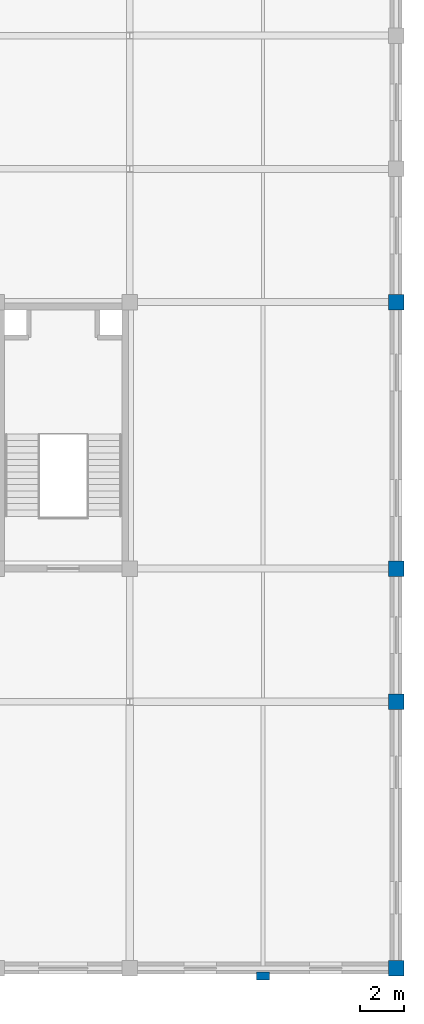
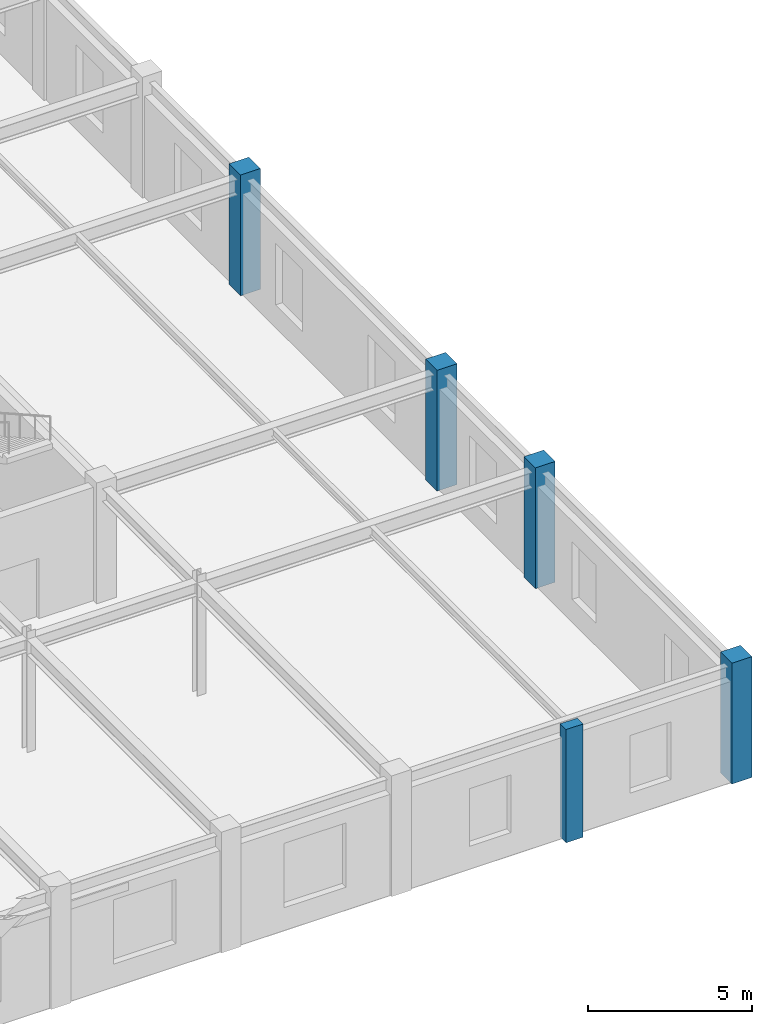
# One storey, part 19 of 108: 5 columns.
"""IFC4 building model written with IfcOpenShell, lengths in metres."""

from ifc_helpers import new_model, si_unit, direction, frame, origin, origin_2d, place, context, subcontext, project, spatial, rectangle, extrude, material, material_profile, profile_set, type_object, element, save


model = new_model("IFC4")

# Units and contexts
model_context = context("Model", 3, precision=1e-05, world=origin(), true_north=direction((0.0, 1.0)))
body_context = subcontext(model_context, "Body", "Model", "MODEL_VIEW")
ifc_project = project(units=[si_unit("LENGTHUNIT", "METRE"), si_unit("AREAUNIT", "SQUARE_METRE"), si_unit("VOLUMEUNIT", "CUBIC_METRE"), si_unit("PLANEANGLEUNIT", "RADIAN"), si_unit("MASSUNIT", "GRAM", prefix="KILO")], contexts=[model_context])

# Site, building, storey
site_placement = place(None, origin())
site = spatial("IfcSite", under=ifc_project, at=site_placement, CompositionType="ELEMENT")
building_placement = place(site_placement, origin())
building = spatial("IfcBuilding", under=site, at=building_placement, Name="Zlatovratsky Civic Hall", CompositionType="ELEMENT")
storey_placement = place(building_placement, frame((0.0, 0.0, 12.0)))
storey = spatial("IfcBuildingStorey", under=building, at=storey_placement, Name="L03", CompositionType="ELEMENT", Elevation=12.0)

# Columns
ifc_material = material(Name="Concrete C35/45 (B40)", Category="concrete")
ifc_material_profile_1 = material_profile(ifc_material, rectangle(XDim=0.699951171875, YDim=0.699951171875, at=origin_2d()), Name="RC 700x700")
ifc_profile_set_1 = profile_set([ifc_material_profile_1], Name="Concrete C35/45 (B40)")
column_type_1 = type_object("IfcColumnType", Name="Col_CorePier_RC700", PredefinedType="COLUMN", material=ifc_profile_set_1)
for number, where, z_axis, x_axis, name in (
    (1, (168.0, 0.0, 0.0), (0.0, 0.0, 1.0), (1.0, 0.0, 0.0), "CL-1202"),
    (2, (168.0, 12.0, 0.0), (0.0, 0.0, 1.0), (1.0, 0.0, 0.0), "CL-1225"),
    (3, (168.0, 18.0, 0.0), (0.0, 0.0, 1.0), (1.0, 0.0, 0.0), "CL-1248"),
    (4, (168.0, 30.0, 0.0), (0.0, 0.0, 1.0), (1.0, 0.0, 0.0), "CL-1268"),
):
    element("IfcColumn", number, at=place(storey_placement, frame(where, z_axis=z_axis, x_axis=x_axis)), inside=storey, type_object=column_type_1, Name=name, PredefinedType="COLUMN", context=body_context, shape_type="SweptSolid", body=[
        extrude(rectangle(XDim=0.699951171875, YDim=0.699951171875, at=origin_2d()), origin(), (0.0, 0.0, 1.0), 4.5),
    ])
ifc_material_profile_2 = material_profile(ifc_material, rectangle(XDim=0.60009765625, YDim=0.360107421875, at=origin_2d()), Name="RC 600x360")
ifc_profile_set_2 = profile_set([ifc_material_profile_2], Name="Concrete C35/45 (B40)")
column_type_2 = type_object("IfcColumnType", Name="Pilaster_Classical_RC600x360", PredefinedType="PILASTER", material=ifc_profile_set_2)
column_placement = place(storey_placement, frame((162.0, -0.35009765625, 0.0), z_axis=(0.0, 0.0, 1.0), x_axis=(1.0, 0.0, 0.0)))
element("IfcColumn", 5, at=column_placement, inside=storey, type_object=column_type_2, Name="CL-2742", PredefinedType="PILASTER", context=body_context, shape_type="SweptSolid", body=[
    extrude(rectangle(XDim=0.60009765625, YDim=0.360107421875, at=origin_2d()), origin(), (0.0, 0.0, 1.0), 4.219970703125),
])

save(model, "model.ifc")
